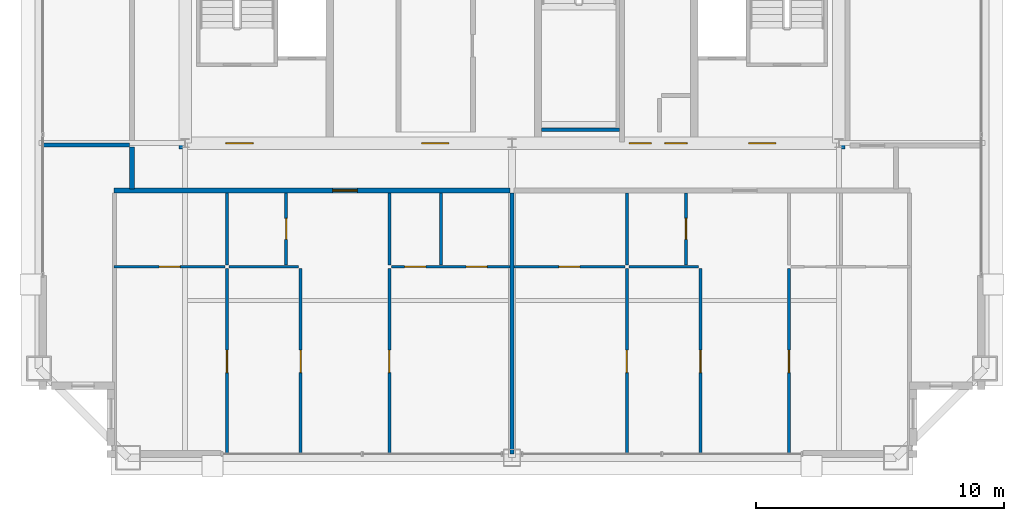
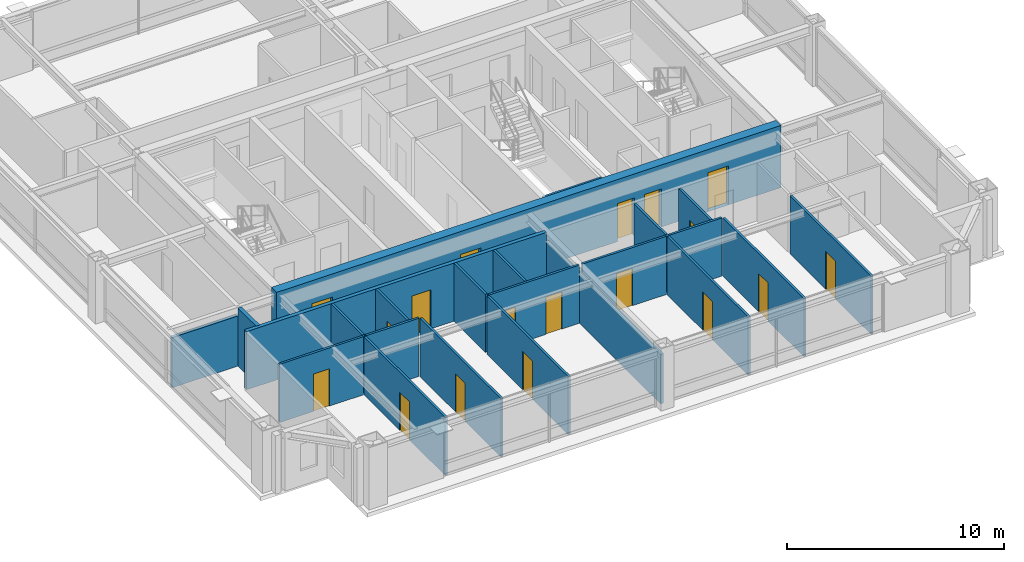
# One storey, part 30 of 34: 23 walls, 18 doors, 18 openings.
"""IFC4 building model written with IfcOpenShell, lengths in metres."""

from ifc_helpers import new_model, si_unit, direction, frame, frame_2d, origin, place, context, subcontext, project, spatial, rectangle, extrude, source, transform, mapped, material, layer, layer_set, type_object, element, fill, save


model = new_model("IFC4")

# Units and contexts
model_context = context("Model", 3, precision=1e-05, world=origin(), true_north=direction((0.0, 1.0)))
body_context = subcontext(model_context, "Body", "Model", "MODEL_VIEW")
ifc_project = project(units=[si_unit("LENGTHUNIT", "METRE"), si_unit("AREAUNIT", "SQUARE_METRE"), si_unit("VOLUMEUNIT", "CUBIC_METRE"), si_unit("PLANEANGLEUNIT", "RADIAN"), si_unit("MASSUNIT", "GRAM", prefix="KILO"), si_unit("THERMODYNAMICTEMPERATUREUNIT", "KELVIN"), si_unit("POWERUNIT", "WATT")], contexts=[model_context])

# Site, building, storey
site_placement = place(None, origin())
site = spatial("IfcSite", under=ifc_project, at=site_placement, CompositionType="ELEMENT")
building_placement = place(site_placement, origin())
building = spatial("IfcBuilding", under=site, at=building_placement, Name="Yuzanri Waterfront Tower", CompositionType="ELEMENT")
storey_placement = place(building_placement, frame((0.0, 0.0, 325.199951171875)))
storey = spatial("IfcBuildingStorey", under=building, at=storey_placement, Name="L87", CompositionType="ELEMENT", Elevation=325.199951171875)

# Wall, opening, door
ifc_material_1 = material(Name="Moisture-Resistant Gypsum Stud Wall", Category="gypsum")
ifc_layer_1 = layer(ifc_material_1, 0.1201171875)
ifc_layer_set_1 = layer_set([ifc_layer_1], Name="Moisture-Resistant Gypsum Stud Wall")
wall_type_1 = type_object("IfcWallType", Name="Bathroom and Kitchen Wet Partition 120", PredefinedType="PARTITIONING", material=ifc_layer_set_1)
wall_1_placement = place(storey_placement, frame((20.93994140625, 14.409912109375, 0.0), z_axis=(0.0, 0.0, 1.0), x_axis=(1.0, 0.0, 0.0)))
wall_1 = element("IfcWall", 1, at=wall_1_placement, inside=storey, type_object=wall_type_1, Name="L87 Partition UW-L87-HS1-SUB-1-S", PredefinedType="PARTITIONING", context=body_context, shape_type="SweptSolid", body=[
    extrude(rectangle(XDim=4.47412109375, YDim=0.1201171875, at=frame_2d((2.237060546875, 0.0))), origin(), (0.0, 0.0, 1.0), 3.280029296875),
])
opening_1_placement = place(wall_1_placement, frame((1.81201171875, 0.0, 0.0)))
opening_1 = element("IfcOpeningElement", 2, at=opening_1_placement, cuts=wall_1, Name="Opening ID-0850", PredefinedType="OPENING", context=body_context, shape_type="SweptSolid", body=[
    extrude(rectangle(XDim=0.85009765625, YDim=2.10009765625, at=frame_2d((0.425048828125, 1.050048828125))), frame((0.0, 0.074951171875, 0.0), z_axis=(0.0, -1.0, 0.0), x_axis=(1.0, 0.0, 0.0)), (0.0, 0.0, 1.0), 0.14990234375),
])
ifc_material_2 = material(Name="Moisture-Resistant Lacquered Timber", Category="wood")
door_type_1 = type_object("IfcDoorType", Name="En-Suite Bathroom and Kitchen Swing Door 850x2100", OperationType="NOTDEFINED", PredefinedType="DOOR", material=ifc_material_2)
shared_shape_1 = source(origin(), body_context, "Body", "SweptSolid", [
    extrude(rectangle(XDim=0.85009765625, YDim=2.10009765625, at=frame_2d((0.425048828125, 1.050048828125))), frame((0.0, 0.02490234375, 0.0), z_axis=(0.0, -1.0, 0.0), x_axis=(1.0, 0.0, 0.0)), (0.0, 0.0, 1.0), 0.050048828125),
])
door_1_placement = place(opening_1_placement, origin())
door_1 = element("IfcDoor", 3, at=door_1_placement, inside=storey, type_object=door_type_1, Name="L87 Suite Interior Room Door", OperationType="SINGLE_SWING_LEFT", OverallHeight=2.10009765625, OverallWidth=0.85009765625, PredefinedType="DOOR", context=body_context, shape_type="MappedRepresentation", body=[
    mapped(shared_shape_1, transform((0.0, 0.0, 0.0), scale=1.0)),
])
fill(opening_1, door_1)

wall_2_placement = place(storey_placement, frame((27.882080078125, 14.489990234375, 0.0), z_axis=(0.0, 0.0, 1.0), x_axis=(0.0, 1.0, 0.0)))
wall_2 = element("IfcWall", 4, at=wall_2_placement, inside=storey, type_object=wall_type_1, Name="L87 Partition UW-L87-HS1-SUB-2-E", PredefinedType="PARTITIONING", context=body_context, shape_type="SweptSolid", body=[
    extrude(rectangle(XDim=2.89990234375, YDim=0.1201171875, at=frame_2d((1.449951171875, 0.0))), origin(), (0.0, 0.0, 1.0), 3.280029296875),
])
opening_2_placement = place(wall_2_placement, frame((1.02490234375, 0.0, 0.0)))
opening_2 = element("IfcOpeningElement", 5, at=opening_2_placement, cuts=wall_2, Name="Opening ID-0850", PredefinedType="OPENING", context=body_context, shape_type="SweptSolid", body=[
    extrude(rectangle(XDim=0.85009765625, YDim=2.10009765625, at=frame_2d((0.425048828125, 1.050048828125))), frame((0.0, 0.074951171875, 0.0), z_axis=(0.0, -1.0, 0.0), x_axis=(1.0, 0.0, 0.0)), (0.0, 0.0, 1.0), 0.14990234375),
])
door_2_placement = place(opening_2_placement, origin())
door_2 = element("IfcDoor", 6, at=door_2_placement, inside=storey, type_object=door_type_1, Name="L87 Suite Interior Room Door", OperationType="SINGLE_SWING_RIGHT", OverallHeight=2.10009765625, OverallWidth=0.85009765625, PredefinedType="DOOR", context=body_context, shape_type="MappedRepresentation", body=[
    mapped(shared_shape_1, transform((0.0, 0.0, 0.0), scale=1.0)),
])
fill(opening_2, door_2)

wall_3_placement = place(storey_placement, frame((25.493896484375, 6.85009765625, 0.0), z_axis=(0.0, 0.0, 1.0), x_axis=(0.0, 1.0, 0.0)))
wall_3 = element("IfcWall", 7, at=wall_3_placement, inside=storey, type_object=wall_type_1, Name="L87 Partition UW-L87-HS1-SUB-5-E", PredefinedType="PARTITIONING", context=body_context, shape_type="SweptSolid", body=[
    extrude(rectangle(XDim=7.47998046875, YDim=0.1201171875, at=frame_2d((3.739990234375, 0.0))), origin(), (0.0, 0.0, 1.0), 3.280029296875),
])
opening_3_placement = place(wall_3_placement, frame((3.2900390625, 0.0, 0.0)))
opening_3 = element("IfcOpeningElement", 8, at=opening_3_placement, cuts=wall_3, Name="Opening ID-0900", PredefinedType="OPENING", context=body_context, shape_type="SweptSolid", body=[
    extrude(rectangle(XDim=0.89990234375, YDim=2.14990234375, at=frame_2d((0.449951171875, 1.074951171875))), frame((0.0, 0.074951171875, 0.0), z_axis=(0.0, -1.0, 0.0), x_axis=(1.0, 0.0, 0.0)), (0.0, 0.0, 1.0), 0.14990234375),
])
ifc_material_3 = material(Name="Stained Walnut Veneer Timber", Category="wood")
door_type_2 = type_object("IfcDoorType", Name="Bedroom and Study Interior Swing Door 900x2150", OperationType="NOTDEFINED", PredefinedType="DOOR", material=ifc_material_3)
shared_shape_2 = source(origin(), body_context, "Body", "SweptSolid", [
    extrude(rectangle(XDim=0.89990234375, YDim=2.14990234375, at=frame_2d((0.449951171875, 1.074951171875))), frame((0.0, 0.02490234375, 0.0), z_axis=(0.0, -1.0, 0.0), x_axis=(1.0, 0.0, 0.0)), (0.0, 0.0, 1.0), 0.050048828125),
])
door_3_placement = place(opening_3_placement, origin())
door_3 = element("IfcDoor", 9, at=door_3_placement, inside=storey, type_object=door_type_2, Name="L87 Suite Interior Room Door", OperationType="SINGLE_SWING_LEFT", OverallHeight=2.14990234375, OverallWidth=0.89990234375, PredefinedType="DOOR", context=body_context, shape_type="MappedRepresentation", body=[
    mapped(shared_shape_2, transform((0.0, 0.0, 0.0), scale=1.0)),
])
fill(opening_3, door_3)

# Wall, openings, doors
wall_4_placement = place(storey_placement, frame((32.1259765625, 14.409912109375, 0.0), z_axis=(0.0, 0.0, 1.0), x_axis=(1.0, 0.0, 0.0)))
wall_4 = element("IfcWall", 10, at=wall_4_placement, inside=storey, type_object=wall_type_1, Name="L87 Partition UW-L87-HS1-SUB-6-N", PredefinedType="PARTITIONING", context=body_context, shape_type="SweptSolid", body=[
    extrude(rectangle(XDim=4.7939453125, YDim=0.1201171875, at=frame_2d((2.39697265625, 0.0))), origin(), (0.0, 0.0, 1.0), 3.280029296875),
])
opening_4_placement = place(wall_4_placement, frame((3.01904296875, 0.0, 0.0)))
opening_4 = element("IfcOpeningElement", 11, at=opening_4_placement, cuts=wall_4, Name="Opening ID-0850", PredefinedType="OPENING", context=body_context, shape_type="SweptSolid", body=[
    extrude(rectangle(XDim=0.85009765625, YDim=2.10009765625, at=frame_2d((0.425048828125, 1.050048828125))), frame((0.0, 0.074951171875, 0.0), z_axis=(0.0, -1.0, 0.0), x_axis=(1.0, 0.0, 0.0)), (0.0, 0.0, 1.0), 0.14990234375),
])
opening_5_placement = place(wall_4_placement, frame((0.5419921875, 0.0, 0.0)))
opening_5 = element("IfcOpeningElement", 12, at=opening_5_placement, cuts=wall_4, Name="Opening ID-0850", PredefinedType="OPENING", context=body_context, shape_type="SweptSolid", body=[
    extrude(rectangle(XDim=0.85009765625, YDim=2.10009765625, at=frame_2d((0.425048828125, 1.050048828125))), frame((0.0, 0.074951171875, 0.0), z_axis=(0.0, -1.0, 0.0), x_axis=(1.0, 0.0, 0.0)), (0.0, 0.0, 1.0), 0.14990234375),
])
door_4_placement = place(opening_4_placement, origin())
door_4 = element("IfcDoor", 13, at=door_4_placement, inside=storey, type_object=door_type_1, Name="L87 Suite Interior Room Door", OperationType="SINGLE_SWING_LEFT", OverallHeight=2.10009765625, OverallWidth=0.85009765625, PredefinedType="DOOR", context=body_context, shape_type="MappedRepresentation", body=[
    mapped(shared_shape_1, transform((0.0, 0.0, 0.0), scale=1.0)),
])
fill(opening_4, door_4)
door_5_placement = place(opening_5_placement, origin())
door_5 = element("IfcDoor", 14, at=door_5_placement, inside=storey, type_object=door_type_1, Name="L87 Suite Interior Room Door", OperationType="SINGLE_SWING_RIGHT", OverallHeight=2.10009765625, OverallWidth=0.85009765625, PredefinedType="DOOR", context=body_context, shape_type="MappedRepresentation", body=[
    mapped(shared_shape_1, transform((0.0, 0.0, 0.0), scale=1.0)),
])
fill(opening_5, door_5)

# Wall, opening, door
wall_5_placement = place(storey_placement, frame((32.0458984375, 6.85009765625, 0.0), z_axis=(0.0, 0.0, 1.0), x_axis=(0.0, 1.0, 0.0)))
wall_5 = element("IfcWall", 15, at=wall_5_placement, inside=storey, type_object=wall_type_1, Name="L87 Partition UW-L87-HS1-SUB-6-W", PredefinedType="PARTITIONING", context=body_context, shape_type="SweptSolid", body=[
    extrude(rectangle(XDim=7.47998046875, YDim=0.1201171875, at=frame_2d((3.739990234375, 0.0))), origin(), (0.0, 0.0, 1.0), 3.280029296875),
])
opening_6_placement = place(wall_5_placement, frame((3.2900390625, 0.0, 0.0)))
opening_6 = element("IfcOpeningElement", 16, at=opening_6_placement, cuts=wall_5, Name="Opening ID-0900", PredefinedType="OPENING", context=body_context, shape_type="SweptSolid", body=[
    extrude(rectangle(XDim=0.89990234375, YDim=2.14990234375, at=frame_2d((0.449951171875, 1.074951171875))), frame((0.0, 0.074951171875, 0.0), z_axis=(0.0, -1.0, 0.0), x_axis=(1.0, 0.0, 0.0)), (0.0, 0.0, 1.0), 0.14990234375),
])
door_6_placement = place(opening_6_placement, origin())
door_6 = element("IfcDoor", 17, at=door_6_placement, inside=storey, type_object=door_type_2, Name="L87 Suite Interior Room Door", OperationType="SINGLE_SWING_RIGHT", OverallHeight=2.14990234375, OverallWidth=0.89990234375, PredefinedType="DOOR", context=body_context, shape_type="MappedRepresentation", body=[
    mapped(shared_shape_2, transform((0.0, 0.0, 0.0), scale=1.0)),
])
fill(opening_6, door_6)

wall_6_placement = place(storey_placement, frame((28.466064453125, 6.85009765625, 0.0), z_axis=(0.0, 0.0, 1.0), x_axis=(0.0, 1.0, 0.0)))
wall_6 = element("IfcWall", 18, at=wall_6_placement, inside=storey, type_object=wall_type_1, Name="L87 Partition UW-L87-HS1-SUB-7-E", PredefinedType="PARTITIONING", context=body_context, shape_type="SweptSolid", body=[
    extrude(rectangle(XDim=7.47998046875, YDim=0.1201171875, at=frame_2d((3.739990234375, 0.0))), origin(), (0.0, 0.0, 1.0), 3.280029296875),
])
opening_7_placement = place(wall_6_placement, frame((3.2900390625, 0.0, 0.0)))
opening_7 = element("IfcOpeningElement", 19, at=opening_7_placement, cuts=wall_6, Name="Opening ID-0900", PredefinedType="OPENING", context=body_context, shape_type="SweptSolid", body=[
    extrude(rectangle(XDim=0.89990234375, YDim=2.14990234375, at=frame_2d((0.449951171875, 1.074951171875))), frame((0.0, 0.074951171875, 0.0), z_axis=(0.0, -1.0, 0.0), x_axis=(1.0, 0.0, 0.0)), (0.0, 0.0, 1.0), 0.14990234375),
])
door_7_placement = place(opening_7_placement, origin())
door_7 = element("IfcDoor", 20, at=door_7_placement, inside=storey, type_object=door_type_2, Name="L87 Suite Interior Room Door", OperationType="SINGLE_SWING_LEFT", OverallHeight=2.14990234375, OverallWidth=0.89990234375, PredefinedType="DOOR", context=body_context, shape_type="MappedRepresentation", body=[
    mapped(shared_shape_2, transform((0.0, 0.0, 0.0), scale=1.0)),
])
fill(opening_7, door_7)

wall_7_placement = place(storey_placement, frame((37.080078125, 14.409912109375, 0.0), z_axis=(0.0, 0.0, 1.0), x_axis=(1.0, 0.0, 0.0)))
wall_7 = element("IfcWall", 21, at=wall_7_placement, inside=storey, type_object=wall_type_1, Name="L87 Partition UW-L87-HS2-SUB-1-S", PredefinedType="PARTITIONING", context=body_context, shape_type="SweptSolid", body=[
    extrude(rectangle(XDim=4.473876953125, YDim=0.1201171875, at=frame_2d((2.23681640625, 0.0))), origin(), (0.0, 0.0, 1.0), 3.280029296875),
])
opening_8_placement = place(wall_7_placement, frame((1.81201171875, 0.0, 0.0)))
opening_8 = element("IfcOpeningElement", 22, at=opening_8_placement, cuts=wall_7, Name="Opening ID-0850", PredefinedType="OPENING", context=body_context, shape_type="SweptSolid", body=[
    extrude(rectangle(XDim=0.85009765625, YDim=2.10009765625, at=frame_2d((0.425048828125, 1.050048828125))), frame((0.0, 0.074951171875, 0.0), z_axis=(0.0, -1.0, 0.0), x_axis=(1.0, 0.0, 0.0)), (0.0, 0.0, 1.0), 0.14990234375),
])
door_8_placement = place(opening_8_placement, origin())
door_8 = element("IfcDoor", 23, at=door_8_placement, inside=storey, type_object=door_type_1, Name="L87 Suite Interior Room Door", OperationType="SINGLE_SWING_LEFT", OverallHeight=2.10009765625, OverallWidth=0.85009765625, PredefinedType="DOOR", context=body_context, shape_type="MappedRepresentation", body=[
    mapped(shared_shape_1, transform((0.0, 0.0, 0.0), scale=1.0)),
])
fill(opening_8, door_8)

wall_8_placement = place(storey_placement, frame((44.02197265625, 14.489990234375, 0.0), z_axis=(0.0, 0.0, 1.0), x_axis=(0.0, 1.0, 0.0)))
wall_8 = element("IfcWall", 24, at=wall_8_placement, inside=storey, type_object=wall_type_1, Name="L87 Partition UW-L87-HS2-SUB-2-E", PredefinedType="PARTITIONING", context=body_context, shape_type="SweptSolid", body=[
    extrude(rectangle(XDim=2.89990234375, YDim=0.1201171875, at=frame_2d((1.449951171875, 0.0))), origin(), (0.0, 0.0, 1.0), 3.280029296875),
])
opening_9_placement = place(wall_8_placement, frame((1.02490234375, 0.0, 0.0)))
opening_9 = element("IfcOpeningElement", 25, at=opening_9_placement, cuts=wall_8, Name="Opening ID-0850", PredefinedType="OPENING", context=body_context, shape_type="SweptSolid", body=[
    extrude(rectangle(XDim=0.85009765625, YDim=2.10009765625, at=frame_2d((0.425048828125, 1.050048828125))), frame((0.0, 0.074951171875, 0.0), z_axis=(0.0, -1.0, 0.0), x_axis=(1.0, 0.0, 0.0)), (0.0, 0.0, 1.0), 0.14990234375),
])
door_9_placement = place(opening_9_placement, origin())
door_9 = element("IfcDoor", 26, at=door_9_placement, inside=storey, type_object=door_type_1, Name="L87 Suite Interior Room Door", OperationType="SINGLE_SWING_RIGHT", OverallHeight=2.10009765625, OverallWidth=0.85009765625, PredefinedType="DOOR", context=body_context, shape_type="MappedRepresentation", body=[
    mapped(shared_shape_1, transform((0.0, 0.0, 0.0), scale=1.0)),
])
fill(opening_9, door_9)

wall_9_placement = place(storey_placement, frame((41.634033203125, 6.85009765625, 0.0), z_axis=(0.0, 0.0, 1.0), x_axis=(0.0, 1.0, 0.0)))
wall_9 = element("IfcWall", 27, at=wall_9_placement, inside=storey, type_object=wall_type_1, Name="L87 Partition UW-L87-HS2-SUB-5-E", PredefinedType="PARTITIONING", context=body_context, shape_type="SweptSolid", body=[
    extrude(rectangle(XDim=7.47998046875, YDim=0.1201171875, at=frame_2d((3.739990234375, 0.0))), origin(), (0.0, 0.0, 1.0), 3.280029296875),
])
opening_10_placement = place(wall_9_placement, frame((3.2900390625, 0.0, 0.0)))
opening_10 = element("IfcOpeningElement", 28, at=opening_10_placement, cuts=wall_9, Name="Opening ID-0900", PredefinedType="OPENING", context=body_context, shape_type="SweptSolid", body=[
    extrude(rectangle(XDim=0.89990234375, YDim=2.14990234375, at=frame_2d((0.449951171875, 1.074951171875))), frame((0.0, 0.074951171875, 0.0), z_axis=(0.0, -1.0, 0.0), x_axis=(1.0, 0.0, 0.0)), (0.0, 0.0, 1.0), 0.14990234375),
])
door_10_placement = place(opening_10_placement, origin())
door_10 = element("IfcDoor", 29, at=door_10_placement, inside=storey, type_object=door_type_2, Name="L87 Suite Interior Room Door", OperationType="SINGLE_SWING_LEFT", OverallHeight=2.14990234375, OverallWidth=0.89990234375, PredefinedType="DOOR", context=body_context, shape_type="MappedRepresentation", body=[
    mapped(shared_shape_2, transform((0.0, 0.0, 0.0), scale=1.0)),
])
fill(opening_10, door_10)

wall_10_placement = place(storey_placement, frame((48.18603515625, 6.85009765625, 0.0), z_axis=(0.0, 0.0, 1.0), x_axis=(0.0, 1.0, 0.0)))
wall_10 = element("IfcWall", 30, at=wall_10_placement, inside=storey, type_object=wall_type_1, Name="L87 Partition UW-L87-HS2-SUB-6-W", PredefinedType="PARTITIONING", context=body_context, shape_type="SweptSolid", body=[
    extrude(rectangle(XDim=7.47998046875, YDim=0.1201171875, at=frame_2d((3.739990234375, 0.0))), origin(), (0.0, 0.0, 1.0), 3.280029296875),
])
opening_11_placement = place(wall_10_placement, frame((3.2900390625, 0.0, 0.0)))
opening_11 = element("IfcOpeningElement", 31, at=opening_11_placement, cuts=wall_10, Name="Opening ID-0900", PredefinedType="OPENING", context=body_context, shape_type="SweptSolid", body=[
    extrude(rectangle(XDim=0.89990234375, YDim=2.14990234375, at=frame_2d((0.449951171875, 1.074951171875))), frame((0.0, 0.074951171875, 0.0), z_axis=(0.0, -1.0, 0.0), x_axis=(1.0, 0.0, 0.0)), (0.0, 0.0, 1.0), 0.14990234375),
])
door_11_placement = place(opening_11_placement, origin())
door_11 = element("IfcDoor", 32, at=door_11_placement, inside=storey, type_object=door_type_2, Name="L87 Suite Interior Room Door", OperationType="SINGLE_SWING_RIGHT", OverallHeight=2.14990234375, OverallWidth=0.89990234375, PredefinedType="DOOR", context=body_context, shape_type="MappedRepresentation", body=[
    mapped(shared_shape_2, transform((0.0, 0.0, 0.0), scale=1.0)),
])
fill(opening_11, door_11)

wall_11_placement = place(storey_placement, frame((44.60595703125, 6.85009765625, 0.0), z_axis=(0.0, 0.0, 1.0), x_axis=(0.0, 1.0, 0.0)))
wall_11 = element("IfcWall", 33, at=wall_11_placement, inside=storey, type_object=wall_type_1, Name="L87 Partition UW-L87-HS2-SUB-7-E", PredefinedType="PARTITIONING", context=body_context, shape_type="SweptSolid", body=[
    extrude(rectangle(XDim=7.47998046875, YDim=0.1201171875, at=frame_2d((3.739990234375, 0.0))), origin(), (0.0, 0.0, 1.0), 3.280029296875),
])
opening_12_placement = place(wall_11_placement, frame((3.2900390625, 0.0, 0.0)))
opening_12 = element("IfcOpeningElement", 34, at=opening_12_placement, cuts=wall_11, Name="Opening ID-0900", PredefinedType="OPENING", context=body_context, shape_type="SweptSolid", body=[
    extrude(rectangle(XDim=0.89990234375, YDim=2.14990234375, at=frame_2d((0.449951171875, 1.074951171875))), frame((0.0, 0.074951171875, 0.0), z_axis=(0.0, -1.0, 0.0), x_axis=(1.0, 0.0, 0.0)), (0.0, 0.0, 1.0), 0.14990234375),
])
door_12_placement = place(opening_12_placement, origin())
door_12 = element("IfcDoor", 35, at=door_12_placement, inside=storey, type_object=door_type_2, Name="L87 Suite Interior Room Door", OperationType="SINGLE_SWING_LEFT", OverallHeight=2.14990234375, OverallWidth=0.89990234375, PredefinedType="DOOR", context=body_context, shape_type="MappedRepresentation", body=[
    mapped(shared_shape_2, transform((0.0, 0.0, 0.0), scale=1.0)),
])
fill(opening_12, door_12)

# Wall, openings, doors
ifc_material_4 = material(Name="Concrete C45", Category="concrete")
ifc_layer_2 = layer(ifc_material_4, 0.47998046875)
ifc_layer_set_2 = layer_set([ifc_layer_2], Name="Concrete C45")
wall_type_2 = type_object("IfcWallType", Name="Concrete C45 High-Rise Core Shear Wall 480", PredefinedType="SHEAR", material=ifc_layer_set_2)
wall_12_placement = place(storey_placement, frame((23.56005859375, 19.39990234375, 0.0), z_axis=(0.0, 0.0, 1.0), x_axis=(1.0, 0.0, 0.0)))
wall_12 = element("IfcWall", 36, at=wall_12_placement, inside=storey, type_object=wall_type_2, Name="L87 Core South Shear Wall", PredefinedType="SHEAR", context=body_context, shape_type="SweptSolid", body=[
    extrude(rectangle(XDim=26.8798828125, YDim=0.47998046875, at=frame_2d((13.43994140625, 0.0))), origin(), (0.0, 0.0, 1.0), 3.5),
])
opening_13_placement = place(wall_12_placement, frame((1.889892578125, 0.0, 0.0)))
opening_13 = element("IfcOpeningElement", 37, at=opening_13_placement, cuts=wall_12, Name="Opening FD-1100", PredefinedType="OPENING", context=body_context, shape_type="SweptSolid", body=[
    extrude(rectangle(XDim=1.10009765625, YDim=2.199951171875, at=frame_2d((0.550048828125, 1.10009765625))), frame((0.0, 0.2548828125, 0.0), z_axis=(0.0, -1.0, 0.0), x_axis=(1.0, 0.0, 0.0)), (0.0, 0.0, 1.0), 0.509765625),
])
opening_14_placement = place(wall_12_placement, frame((9.7900390625, 0.0, 0.0)))
opening_14 = element("IfcOpeningElement", 38, at=opening_14_placement, cuts=wall_12, Name="Opening FD-1100", PredefinedType="OPENING", context=body_context, shape_type="SweptSolid", body=[
    extrude(rectangle(XDim=1.10009765625, YDim=2.199951171875, at=frame_2d((0.550048828125, 1.10009765625))), frame((0.0, 0.2548828125, 0.0), z_axis=(0.0, -1.0, 0.0), x_axis=(1.0, 0.0, 0.0)), (0.0, 0.0, 1.0), 0.509765625),
])
opening_15_placement = place(wall_12_placement, frame((22.989990234375, 0.0, 0.0)))
opening_15 = element("IfcOpeningElement", 39, at=opening_15_placement, cuts=wall_12, Name="Opening FD-1100", PredefinedType="OPENING", context=body_context, shape_type="SweptSolid", body=[
    extrude(rectangle(XDim=1.10009765625, YDim=2.199951171875, at=frame_2d((0.550048828125, 1.10009765625))), frame((0.0, 0.2548828125, 0.0), z_axis=(0.0, -1.0, 0.0), x_axis=(1.0, 0.0, 0.0)), (0.0, 0.0, 1.0), 0.509765625),
])
opening_16_placement = place(wall_12_placement, frame((19.610107421875, 0.0, 0.0)))
opening_16 = element("IfcOpeningElement", 40, at=opening_16_placement, cuts=wall_12, Name="Opening FD-0900", PredefinedType="OPENING", context=body_context, shape_type="SweptSolid", body=[
    extrude(rectangle(XDim=0.89990234375, YDim=2.14990234375, at=frame_2d((0.449951171875, 1.074951171875))), frame((0.0, 0.2548828125, 0.0), z_axis=(0.0, -1.0, 0.0), x_axis=(1.0, 0.0, 0.0)), (0.0, 0.0, 1.0), 0.509765625),
])
opening_17_placement = place(wall_12_placement, frame((18.169921875, 0.0, 0.0)))
opening_17 = element("IfcOpeningElement", 41, at=opening_17_placement, cuts=wall_12, Name="Opening FD-0900", PredefinedType="OPENING", context=body_context, shape_type="SweptSolid", body=[
    extrude(rectangle(XDim=0.89990234375, YDim=2.14990234375, at=frame_2d((0.449951171875, 1.074951171875))), frame((0.0, 0.2548828125, 0.0), z_axis=(0.0, -1.0, 0.0), x_axis=(1.0, 0.0, 0.0)), (0.0, 0.0, 1.0), 0.509765625),
])
ifc_material_5 = material(Name="Painted Galvanized Fire Steel", Category="steel")
door_type_3 = type_object("IfcDoorType", Name="Smoke-Proof Stair and Lobby Fire Door 1100x2200", OperationType="NOTDEFINED", PredefinedType="DOOR", material=ifc_material_5)
shared_shape_3 = source(origin(), body_context, "Body", "SweptSolid", [
    extrude(rectangle(XDim=1.10009765625, YDim=2.199951171875, at=frame_2d((0.550048828125, 1.10009765625))), frame((0.0, 0.02490234375, 0.0), z_axis=(0.0, -1.0, 0.0), x_axis=(1.0, 0.0, 0.0)), (0.0, 0.0, 1.0), 0.050048828125),
])
door_13_placement = place(opening_13_placement, origin())
door_13 = element("IfcDoor", 42, at=door_13_placement, inside=storey, type_object=door_type_3, Name="L87 West Firefighting Lobby Door", OperationType="SINGLE_SWING_LEFT", OverallHeight=2.199951171875, OverallWidth=1.10009765625, PredefinedType="DOOR", context=body_context, shape_type="MappedRepresentation", body=[
    mapped(shared_shape_3, transform((0.0, 0.0, 0.0), scale=1.0)),
])
fill(opening_13, door_13)
door_14_placement = place(opening_14_placement, origin())
door_14 = element("IfcDoor", 43, at=door_14_placement, inside=storey, type_object=door_type_3, Name="L87 Central Lift Lobby South Door", OperationType="SINGLE_SWING_RIGHT", OverallHeight=2.199951171875, OverallWidth=1.10009765625, PredefinedType="DOOR", context=body_context, shape_type="MappedRepresentation", body=[
    mapped(shared_shape_3, transform((0.0, 0.0, 0.0), scale=1.0)),
])
fill(opening_14, door_14)
door_15_placement = place(opening_15_placement, origin())
door_15 = element("IfcDoor", 44, at=door_15_placement, inside=storey, type_object=door_type_3, Name="L87 East Firefighting Lobby Door", OperationType="SINGLE_SWING_LEFT", OverallHeight=2.199951171875, OverallWidth=1.10009765625, PredefinedType="DOOR", context=body_context, shape_type="MappedRepresentation", body=[
    mapped(shared_shape_3, transform((0.0, 0.0, 0.0), scale=1.0)),
])
fill(opening_15, door_15)
ifc_material_6 = material(Name="Painted Galvanized Fire Steel", Category="steel")
door_type_4 = type_object("IfcDoorType", Name="Riser and Service Room Fire Door 900x2150", OperationType="NOTDEFINED", PredefinedType="DOOR", material=ifc_material_6)
shared_shape_4 = source(origin(), body_context, "Body", "SweptSolid", [
    extrude(rectangle(XDim=0.89990234375, YDim=2.14990234375, at=frame_2d((0.449951171875, 1.074951171875))), frame((0.0, 0.02490234375, 0.0), z_axis=(0.0, -1.0, 0.0), x_axis=(1.0, 0.0, 0.0)), (0.0, 0.0, 1.0), 0.050048828125),
])
door_16_placement = place(opening_16_placement, origin())
door_16 = element("IfcDoor", 45, at=door_16_placement, inside=storey, type_object=door_type_4, Name="L87 East Wet Riser Door", OperationType="SINGLE_SWING_RIGHT", OverallHeight=2.14990234375, OverallWidth=0.89990234375, PredefinedType="DOOR", context=body_context, shape_type="MappedRepresentation", body=[
    mapped(shared_shape_4, transform((0.0, 0.0, 0.0), scale=1.0)),
])
fill(opening_16, door_16)
door_17_placement = place(opening_17_placement, origin())
door_17 = element("IfcDoor", 46, at=door_17_placement, inside=storey, type_object=door_type_4, Name="L87 Cleaners Store Room", OperationType="SINGLE_SWING_LEFT", OverallHeight=2.14990234375, OverallWidth=0.89990234375, PredefinedType="DOOR", context=body_context, shape_type="MappedRepresentation", body=[
    mapped(shared_shape_4, transform((0.0, 0.0, 0.0), scale=1.0)),
])
fill(opening_17, door_17)

# Wall, opening, door
ifc_material_7 = material(Name="Autoclaved Aerated Concrete Blockwork", Category="masonry")
ifc_layer_3 = layer(ifc_material_7, 0.199951171875)
ifc_layer_set_3 = layer_set([ifc_layer_3], Name="Autoclaved Aerated Concrete Blockwork")
wall_type_3 = type_object("IfcWallType", Name="Corridor and Unit Party Fire Wall 200", PredefinedType="PARTITIONING", material=ifc_layer_set_3)
wall_13_placement = place(storey_placement, frame((20.93994140625, 17.489990234375, 0.0), z_axis=(0.0, 0.0, 1.0), x_axis=(1.0, 0.0, 0.0)))
wall_13 = element("IfcWall", 47, at=wall_13_placement, inside=storey, type_object=wall_type_3, Name="L87 Partition UW-L87-HS1-CN", PredefinedType="PARTITIONING", context=body_context, shape_type="SweptSolid", body=[
    extrude(rectangle(XDim=15.97998046875, YDim=0.199951171875, at=frame_2d((7.989990234375, 0.0))), origin(), (0.0, 0.0, 1.0), 3.280029296875),
])
opening_18_placement = place(wall_13_placement, frame((8.81591796875, 0.0, 0.0)))
opening_18 = element("IfcOpeningElement", 48, at=opening_18_placement, cuts=wall_13, Name="Opening FD-1000", PredefinedType="OPENING", context=body_context, shape_type="SweptSolid", body=[
    extrude(rectangle(XDim=1.0, YDim=2.199951171875, at=frame_2d((0.5, 1.10009765625))), frame((0.0, 0.11474609375, 0.0), z_axis=(0.0, -1.0, 0.0), x_axis=(1.0, 0.0, 0.0)), (0.0, 0.0, 1.0), 0.229736328125),
])
ifc_material_8 = material(Name="Engineered Oak Fire-Rated Timber", Category="wood")
door_type_5 = type_object("IfcDoorType", Name="Guestroom and Apartment Entrance Fire Door 1000x2200", OperationType="NOTDEFINED", PredefinedType="DOOR", material=ifc_material_8)
shared_shape_5 = source(origin(), body_context, "Body", "SweptSolid", [
    extrude(rectangle(XDim=1.0, YDim=2.199951171875, at=frame_2d((0.5, 1.10009765625))), frame((0.0, 0.02490234375, 0.0), z_axis=(0.0, -1.0, 0.0), x_axis=(1.0, 0.0, 0.0)), (0.0, 0.0, 1.0), 0.050048828125),
])
door_18_placement = place(opening_18_placement, origin())
door_18 = element("IfcDoor", 49, at=door_18_placement, inside=storey, type_object=door_type_5, Name="L87 Apartment Living and Dining Salon Entrance Door", OperationType="SINGLE_SWING_RIGHT", OverallHeight=2.199951171875, OverallWidth=1.0, PredefinedType="DOOR", context=body_context, shape_type="MappedRepresentation", body=[
    mapped(shared_shape_5, transform((0.0, 0.0, 0.0), scale=1.0)),
])
fill(opening_18, door_18)

# Walls
ifc_material_9 = material(Name="Concrete C40", Category="concrete")
ifc_layer_4 = layer(ifc_material_9, 0.139892578125)
ifc_layer_set_4 = layer_set([ifc_layer_4], Name="Concrete C40")
wall_type_4 = type_object("IfcWallType", Name="Core Stair Liner and Hoistway Shaft Wall 140", PredefinedType="SOLIDWALL", material=ifc_layer_set_4)
shared_shape_6 = source(origin(), body_context, "Body", "SweptSolid", [
    extrude(rectangle(XDim=3.14013671875, YDim=0.139892578125, at=frame_2d((1.570068359375, 0.0))), origin(), (0.0, 0.0, 1.0), 3.280029296875),
])
wall_14_placement = place(storey_placement, frame((38.199951171875, 19.949951171875, 0.0), z_axis=(0.0, 0.0, 1.0), x_axis=(1.0, 0.0, 0.0)))
element("IfcWall", 50, at=wall_14_placement, inside=storey, type_object=wall_type_4, Name="L87 Stair ST-03 South Shaft Wall", PredefinedType="SOLIDWALL", context=body_context, shape_type="MappedRepresentation", body=[
    mapped(shared_shape_6, transform((0.0, 0.0, 0.0), scale=1.0)),
])
ifc_material_10 = material(Name="Gypsum Fireboard Acoustic Stud Wall", Category="gypsum")
ifc_layer_5 = layer(ifc_material_10, 0.159912109375)
ifc_layer_set_5 = layer_set([ifc_layer_5], Name="Gypsum Fireboard Acoustic Stud Wall")
wall_type_5 = type_object("IfcWallType", Name="Acoustic Suite Demising Partition 160", PredefinedType="PARTITIONING", material=ifc_layer_set_5)
shared_shape_7 = source(origin(), body_context, "Body", "SweptSolid", [
    extrude(rectangle(XDim=3.5, YDim=0.159912109375, at=frame_2d((1.75, 0.0))), origin(), (0.0, 0.0, 1.0), 2.824951171875),
])
wall_15_placement = place(storey_placement, frame((18.050048828125, 19.330078125, 0.0), z_axis=(0.0, 0.0, 1.0), x_axis=(1.0, 0.0, 0.0)))
element("IfcWall", 51, at=wall_15_placement, inside=storey, type_object=wall_type_5, Name="L87-041 Wing South End Wall", PredefinedType="PARTITIONING", context=body_context, shape_type="MappedRepresentation", body=[
    mapped(shared_shape_7, transform((0.0, 0.0, 0.0), scale=1.0)),
])
shared_shape_8 = source(origin(), body_context, "Body", "SweptSolid", [
    extrude(rectangle(XDim=1.699951171875, YDim=0.199951171875, at=frame_2d((0.85009765625, 0.0))), origin(), (0.0, 0.0, 1.0), 3.280029296875),
])
wall_16_placement = place(storey_placement, frame((21.64990234375, 17.550048828125, 0.0), z_axis=(0.0, 0.0, 1.0), x_axis=(0.0, 1.0, 0.0)))
element("IfcWall", 52, at=wall_16_placement, inside=storey, type_object=wall_type_3, Name="L87 South Foyer West End Wall", PredefinedType="PARTITIONING", context=body_context, shape_type="MappedRepresentation", body=[
    mapped(shared_shape_8, transform((0.0, 0.0, 0.0), scale=1.0)),
])
shared_shape_9 = source(origin(), body_context, "Body", "SweptSolid", [
    extrude(rectangle(XDim=2.89990234375, YDim=0.1201171875, at=frame_2d((1.449951171875, 0.0))), origin(), (0.0, 0.0, 1.0), 3.280029296875),
])
for number, where, z_axis, x_axis, name in (
    (53, (25.493896484375, 14.489990234375, 0.0), (0.0, 0.0, 1.0), (0.0, 1.0, 0.0), "L87 Partition UW-L87-HS1-SUB-1-E"),
    (54, (34.139892578125, 14.489990234375, 0.0), (0.0, 0.0, 1.0), (0.0, 1.0, 0.0), "L87 Partition UW-L87-HS1-SUB-3-W"),
    (55, (32.0458984375, 14.489990234375, 0.0), (0.0, 0.0, 1.0), (0.0, 1.0, 0.0), "L87 Partition UW-L87-HS1-SUB-4-W"),
    (56, (41.634033203125, 14.489990234375, 0.0), (0.0, 0.0, 1.0), (0.0, 1.0, 0.0), "L87 Partition UW-L87-HS2-SUB-1-E"),
):
    element("IfcWall", number, at=place(storey_placement, frame(where, z_axis=z_axis, x_axis=x_axis)), inside=storey, type_object=wall_type_1, Name=name, PredefinedType="PARTITIONING", context=body_context, shape_type="MappedRepresentation", body=[
        mapped(shared_shape_9, transform((0.0, 0.0, 0.0), scale=1.0)),
    ])
shared_shape_10 = source(origin(), body_context, "Body", "SweptSolid", [
    extrude(rectangle(XDim=10.539794921875, YDim=0.159912109375, at=frame_2d((5.27001953125, 0.0))), origin(), (0.0, 0.0, 1.0), 2.787109375),
])
wall_17_placement = place(storey_placement, frame((37.0, 6.85009765625, 0.0), z_axis=(0.0, 0.0, 1.0), x_axis=(0.0, 1.0, 0.0)))
element("IfcWall", 57, at=wall_17_placement, inside=storey, type_object=wall_type_5, Name="L87-HS1 Party Wall", PredefinedType="PARTITIONING", context=body_context, shape_type="MappedRepresentation", body=[
    mapped(shared_shape_10, transform((0.0, 0.0, 0.0), scale=1.0)),
])
shared_shape_11 = source(origin(), body_context, "Body", "SweptSolid", [
    extrude(rectangle(XDim=2.81201171875, YDim=0.1201171875, at=frame_2d((1.406005859375, 0.0))), origin(), (0.0, 0.0, 1.0), 3.280029296875),
])
wall_18_placement = place(storey_placement, frame((25.573974609375, 14.409912109375, 0.0), z_axis=(0.0, 0.0, 1.0), x_axis=(1.0, 0.0, 0.0)))
element("IfcWall", 58, at=wall_18_placement, inside=storey, type_object=wall_type_1, Name="L87 Partition UW-L87-HS1-SUB-7-N", PredefinedType="PARTITIONING", context=body_context, shape_type="MappedRepresentation", body=[
    mapped(shared_shape_11, transform((0.0, 0.0, 0.0), scale=1.0)),
])
shared_shape_12 = source(origin(), body_context, "Body", "SweptSolid", [
    extrude(rectangle(XDim=2.811767578125, YDim=0.1201171875, at=frame_2d((1.40576171875, 0.0))), origin(), (0.0, 0.0, 1.0), 3.280029296875),
])
wall_19_placement = place(storey_placement, frame((41.714111328125, 14.409912109375, 0.0), z_axis=(0.0, 0.0, 1.0), x_axis=(1.0, 0.0, 0.0)))
element("IfcWall", 59, at=wall_19_placement, inside=storey, type_object=wall_type_1, Name="L87 Partition UW-L87-HS2-SUB-7-N", PredefinedType="PARTITIONING", context=body_context, shape_type="MappedRepresentation", body=[
    mapped(shared_shape_12, transform((0.0, 0.0, 0.0), scale=1.0)),
])

save(model, "model.ifc")
